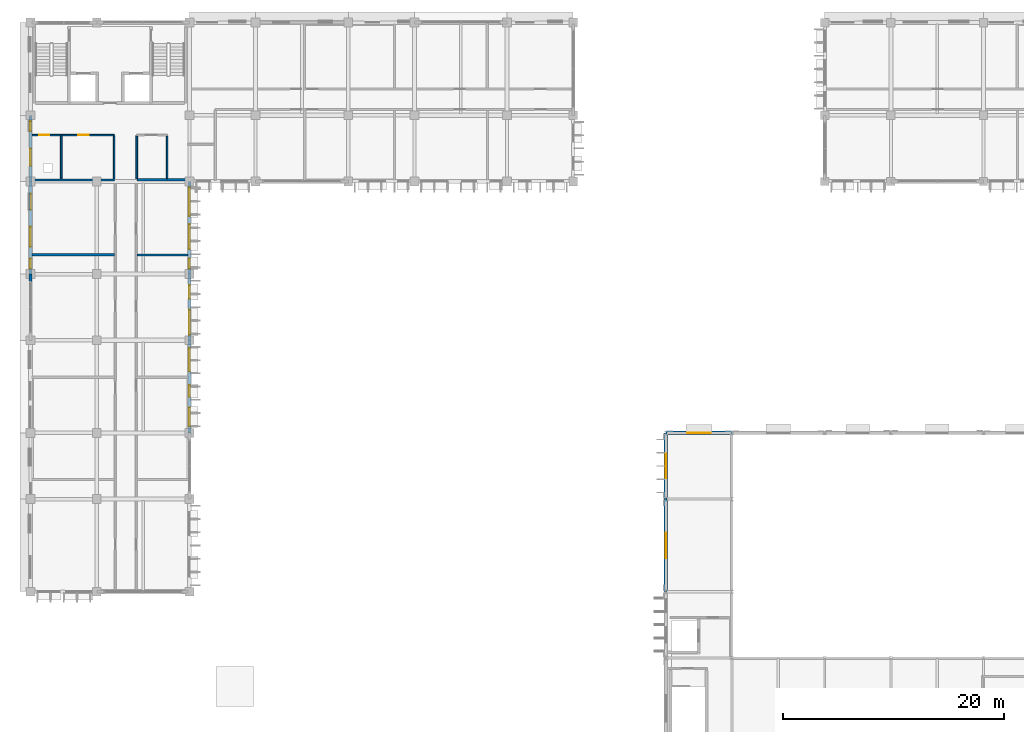
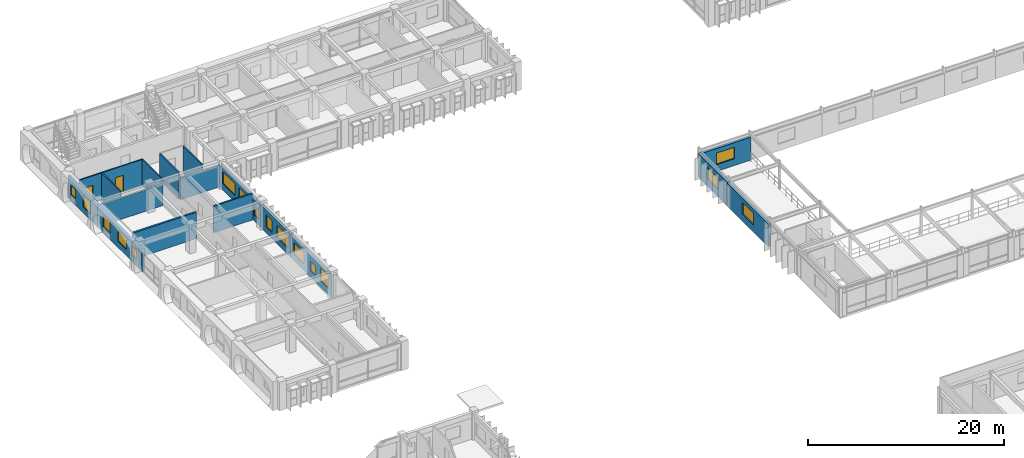
# One storey, part 55 of 88: 18 walls, 16 windows, 2 doors, 18 openings.
"""IFC4 building model written with IfcOpenShell, lengths in metres."""

from ifc_helpers import new_model, si_unit, direction, frame, frame_2d, origin, place, context, subcontext, project, spatial, rectangle, extrude, material, layer, layer_set, type_object, element, fill, save


model = new_model("IFC4")

# Units and contexts
model_context = context("Model", 3, precision=1e-05, world=origin(), true_north=direction((0.0, 1.0)))
body_context = subcontext(model_context, "Body", "Model", "MODEL_VIEW")
ifc_project = project(units=[si_unit("LENGTHUNIT", "METRE"), si_unit("AREAUNIT", "SQUARE_METRE"), si_unit("VOLUMEUNIT", "CUBIC_METRE"), si_unit("PLANEANGLEUNIT", "RADIAN"), si_unit("MASSUNIT", "GRAM", prefix="KILO"), si_unit("THERMODYNAMICTEMPERATUREUNIT", "KELVIN")], contexts=[model_context])

# Site, building, storey
site_placement = place(None, origin())
site = spatial("IfcSite", under=ifc_project, at=site_placement, CompositionType="ELEMENT")
building_placement = place(site_placement, origin())
building = spatial("IfcBuilding", under=site, at=building_placement, Name="Thalorik Housing Commons", CompositionType="ELEMENT")
storey_placement = place(building_placement, frame((0.0, 0.0, 4.5)))
storey = spatial("IfcBuildingStorey", under=building, at=storey_placement, Name="L01", CompositionType="ELEMENT", Elevation=4.5)

# Wall, openings, windows
ifc_material_1 = material(Name="White precast concrete C40/50", Category="concrete")
ifc_layer_1 = layer(ifc_material_1, 0.2548828125, Name="White precast concrete C40/50", Category="concrete")
ifc_layer_set_1 = layer_set([ifc_layer_1], Name="White precast concrete C40/50")
wall_type_1 = type_object("IfcWallType", Name="ARC-WAL-EXT-255", PredefinedType="STANDARD", material=ifc_layer_set_1)
wall_1_placement = place(storey_placement, frame((8.39990234375, 115.199951171875, 0.0), z_axis=(0.0, 0.0, 1.0), x_axis=(0.0, -1.0, 0.0)))
wall_1 = element("IfcWall", 1, at=wall_1_placement, inside=storey, type_object=wall_type_1, Name="L01 Exterior Wall WAL-EXT-L01-A-0044", PredefinedType="STANDARD", context=body_context, shape_type="SweptSolid", body=[
    extrude(rectangle(XDim=6.0, YDim=0.2548828125, at=frame_2d((3.0, 0.0))), origin(), (0.0, 0.0, 1.0), 2.875),
])
opening_1_placement = place(wall_1_placement, frame((0.544921875, 0.0, 0.780029296875)))
opening_1 = element("IfcOpeningElement", 2, at=opening_1_placement, cuts=wall_1, Name="Opening W-01", PredefinedType="OPENING", context=body_context, shape_type="SweptSolid", body=[
    extrude(rectangle(XDim=0.89990234375, YDim=1.199951171875, at=frame_2d((0.449951171875, 0.60009765625))), frame((0.0, 0.137451171875, 0.0), z_axis=(0.0, -1.0, 0.0), x_axis=(1.0, 0.0, 0.0)), (0.0, 0.0, 1.0), 0.27490234375),
])
opening_2_placement = place(wall_1_placement, frame((3.014892578125, 0.0, 0.780029296875)))
opening_2 = element("IfcOpeningElement", 3, at=opening_2_placement, cuts=wall_1, Name="Opening W-53", PredefinedType="OPENING", context=body_context, shape_type="SweptSolid", body=[
    extrude(rectangle(XDim=1.580078125, YDim=1.47998046875, at=frame_2d((0.7900390625, 0.739990234375))), frame((0.0, 0.137451171875, 0.0), z_axis=(0.0, -1.0, 0.0), x_axis=(1.0, 0.0, 0.0)), (0.0, 0.0, 1.0), 0.27490234375),
])
ifc_material_2 = material(Name="Anodised aluminium and solar-control low-E glass", Category="aluminium")
window_type_1 = type_object("IfcWindowType", Name="ARC-WIN-01", PartitioningType="SINGLE_PANEL", PredefinedType="WINDOW", material=ifc_material_2)
window_1_placement = place(opening_1_placement, origin())
window_1 = element("IfcWindow", 4, at=window_1_placement, inside=storey, type_object=window_type_1, Name="L01 Facade Window 71", OverallHeight=1.199951171875, OverallWidth=0.89990234375, PartitioningType="SINGLE_PANEL", PredefinedType="WINDOW", context=body_context, shape_type="SweptSolid", body=[
    extrude(rectangle(XDim=0.89990234375, YDim=1.199951171875, at=frame_2d((0.449951171875, 0.60009765625))), frame((0.0, 0.030029296875, 0.0), z_axis=(0.0, -1.0, 0.0), x_axis=(1.0, 0.0, 0.0)), (0.0, 0.0, 1.0), 0.06005859375),
])
fill(opening_1, window_1)
window_type_2 = type_object("IfcWindowType", Name="ARC-WIN-53", PartitioningType="SINGLE_PANEL", PredefinedType="WINDOW", material=ifc_material_2)
window_2_placement = place(opening_2_placement, origin())
window_2 = element("IfcWindow", 5, at=window_2_placement, inside=storey, type_object=window_type_2, Name="L01 Facade Window 72", OverallHeight=1.47998046875, OverallWidth=1.580078125, PartitioningType="SINGLE_PANEL", PredefinedType="WINDOW", context=body_context, shape_type="SweptSolid", body=[
    extrude(rectangle(XDim=1.580078125, YDim=1.47998046875, at=frame_2d((0.7900390625, 0.739990234375))), frame((0.0, 0.030029296875, 0.0), z_axis=(0.0, -1.0, 0.0), x_axis=(1.0, 0.0, 0.0)), (0.0, 0.0, 1.0), 0.06005859375),
])
fill(opening_2, window_2)

wall_2_placement = place(storey_placement, frame((8.39990234375, 109.199951171875, 0.0), z_axis=(0.0, 0.0, 1.0), x_axis=(0.0, -1.0, 0.0)))
wall_2 = element("IfcWall", 6, at=wall_2_placement, inside=storey, type_object=wall_type_1, Name="L01 Exterior Wall WAL-EXT-L01-A-0045", PredefinedType="STANDARD", context=body_context, shape_type="SweptSolid", body=[
    extrude(rectangle(XDim=8.39990234375, YDim=0.2548828125, at=frame_2d((4.199951171875, 0.0))), origin(), (0.0, 0.0, 1.0), 2.72509765625),
])
opening_3_placement = place(wall_2_placement, frame((1.132568359375, 0.0, 0.780029296875)))
opening_3 = element("IfcOpeningElement", 7, at=opening_3_placement, cuts=wall_2, Name="Opening W-50", PredefinedType="OPENING", context=body_context, shape_type="SweptSolid", body=[
    extrude(rectangle(XDim=1.419921875, YDim=1.3798828125, at=frame_2d((0.7099609375, 0.68994140625))), frame((0.0, 0.137451171875, 0.0), z_axis=(0.0, -1.0, 0.0), x_axis=(1.0, 0.0, 0.0)), (0.0, 0.0, 1.0), 0.27490234375),
])
opening_4_placement = place(wall_2_placement, frame((4.117431640625, 0.0, 0.780029296875)))
opening_4 = element("IfcOpeningElement", 8, at=opening_4_placement, cuts=wall_2, Name="Opening W-57", PredefinedType="OPENING", context=body_context, shape_type="SweptSolid", body=[
    extrude(rectangle(XDim=1.780029296875, YDim=1.419921875, at=frame_2d((0.89013671875, 0.7099609375))), frame((0.0, 0.137451171875, 0.0), z_axis=(0.0, -1.0, 0.0), x_axis=(1.0, 0.0, 0.0)), (0.0, 0.0, 1.0), 0.27490234375),
])
opening_5_placement = place(wall_2_placement, frame((6.985107421875, 0.0, 0.780029296875)))
opening_5 = element("IfcOpeningElement", 9, at=opening_5_placement, cuts=wall_2, Name="Opening W-01", PredefinedType="OPENING", context=body_context, shape_type="SweptSolid", body=[
    extrude(rectangle(XDim=0.89990234375, YDim=1.199951171875, at=frame_2d((0.449951171875, 0.60009765625))), frame((0.0, 0.137451171875, 0.0), z_axis=(0.0, -1.0, 0.0), x_axis=(1.0, 0.0, 0.0)), (0.0, 0.0, 1.0), 0.27490234375),
])
window_3_placement = place(opening_5_placement, origin())
window_3 = element("IfcWindow", 10, at=window_3_placement, inside=storey, type_object=window_type_1, Name="L01 Facade Window 75", OverallHeight=1.199951171875, OverallWidth=0.89990234375, PartitioningType="SINGLE_PANEL", PredefinedType="WINDOW", context=body_context, shape_type="SweptSolid", body=[
    extrude(rectangle(XDim=0.89990234375, YDim=1.199951171875, at=frame_2d((0.449951171875, 0.60009765625))), frame((0.0, 0.030029296875, 0.0), z_axis=(0.0, -1.0, 0.0), x_axis=(1.0, 0.0, 0.0)), (0.0, 0.0, 1.0), 0.06005859375),
])
fill(opening_5, window_3)
window_type_3 = type_object("IfcWindowType", Name="ARC-WIN-50", PartitioningType="SINGLE_PANEL", PredefinedType="WINDOW", material=ifc_material_2)
window_4_placement = place(opening_3_placement, origin())
window_4 = element("IfcWindow", 11, at=window_4_placement, inside=storey, type_object=window_type_3, Name="L01 Facade Window 73", OverallHeight=1.3798828125, OverallWidth=1.419921875, PartitioningType="SINGLE_PANEL", PredefinedType="WINDOW", context=body_context, shape_type="SweptSolid", body=[
    extrude(rectangle(XDim=1.419921875, YDim=1.3798828125, at=frame_2d((0.7099609375, 0.68994140625))), frame((0.0, 0.030029296875, 0.0), z_axis=(0.0, -1.0, 0.0), x_axis=(1.0, 0.0, 0.0)), (0.0, 0.0, 1.0), 0.06005859375),
])
fill(opening_3, window_4)
window_type_4 = type_object("IfcWindowType", Name="ARC-WIN-57", PartitioningType="DOUBLE_PANEL_VERTICAL", PredefinedType="WINDOW", material=ifc_material_2)
window_5_placement = place(opening_4_placement, origin())
window_5 = element("IfcWindow", 12, at=window_5_placement, inside=storey, type_object=window_type_4, Name="L01 Facade Window 74", OverallHeight=1.419921875, OverallWidth=1.780029296875, PartitioningType="DOUBLE_PANEL_VERTICAL", PredefinedType="WINDOW", context=body_context, shape_type="SweptSolid", body=[
    extrude(rectangle(XDim=1.780029296875, YDim=1.419921875, at=frame_2d((0.89013671875, 0.7099609375))), frame((0.0, 0.030029296875, 0.0), z_axis=(0.0, -1.0, 0.0), x_axis=(1.0, 0.0, 0.0)), (0.0, 0.0, 1.0), 0.06005859375),
])
fill(opening_4, window_5)

# Wall
wall_3_placement = place(storey_placement, frame((8.39990234375, 100.800048828125, 0.0), z_axis=(0.0, 0.0, 1.0), x_axis=(0.0, -1.0, 0.0)))
element("IfcWall", 13, at=wall_3_placement, inside=storey, type_object=wall_type_1, Name="L01 Exterior Wall WAL-PIERL-L01-A-0046", PredefinedType="STANDARD", context=body_context, shape_type="SweptSolid", body=[
    extrude(rectangle(XDim=0.699951171875, YDim=0.2548828125, at=frame_2d((0.35009765625, 0.0))), origin(), (0.0, 0.0, 1.0), 2.875),
])

# Wall, openings, windows
wall_4_placement = place(storey_placement, frame((22.800048828125, 86.39990234375, 0.0), z_axis=(0.0, 0.0, 1.0), x_axis=(0.0, 1.0, 0.0)))
wall_4 = element("IfcWall", 14, at=wall_4_placement, inside=storey, type_object=wall_type_1, Name="L01 Exterior Wall WAL-EXT-L01-A-0054", PredefinedType="STANDARD", context=body_context, shape_type="SweptSolid", body=[
    extrude(rectangle(XDim=8.400146484375, YDim=0.2548828125, at=frame_2d((4.2001953125, 0.0))), origin(), (0.0, 0.0, 1.0), 2.72509765625),
])
opening_6_placement = place(wall_4_placement, frame((0.590087890625, 0.0, 0.780029296875)))
opening_6 = element("IfcOpeningElement", 15, at=opening_6_placement, cuts=wall_4, Name="Opening W-16", PredefinedType="OPENING", context=body_context, shape_type="SweptSolid", body=[
    extrude(rectangle(XDim=1.699951171875, YDim=1.60009765625, at=frame_2d((0.85009765625, 0.800048828125))), frame((0.0, 0.137451171875, 0.0), z_axis=(0.0, -1.0, 0.0), x_axis=(1.0, 0.0, 0.0)), (0.0, 0.0, 1.0), 0.27490234375),
])
opening_7_placement = place(wall_4_placement, frame((3.27490234375, 0.0, 0.780029296875)))
opening_7 = element("IfcOpeningElement", 16, at=opening_7_placement, cuts=wall_4, Name="Opening W-44", PredefinedType="OPENING", context=body_context, shape_type="SweptSolid", body=[
    extrude(rectangle(XDim=1.050048828125, YDim=1.199951171875, at=frame_2d((0.52490234375, 0.60009765625))), frame((0.0, 0.137451171875, 0.0), z_axis=(0.0, -1.0, 0.0), x_axis=(1.0, 0.0, 0.0)), (0.0, 0.0, 1.0), 0.27490234375),
])
opening_8_placement = place(wall_4_placement, frame((5.570068359375, 0.0, 0.780029296875)))
opening_8 = element("IfcOpeningElement", 17, at=opening_8_placement, cuts=wall_4, Name="Opening W-64", PredefinedType="OPENING", context=body_context, shape_type="SweptSolid", body=[
    extrude(rectangle(XDim=2.1201171875, YDim=1.43994140625, at=frame_2d((1.06005859375, 0.719970703125))), frame((0.0, 0.137451171875, 0.0), z_axis=(0.0, -1.0, 0.0), x_axis=(1.0, 0.0, 0.0)), (0.0, 0.0, 1.0), 0.27490234375),
])
window_type_5 = type_object("IfcWindowType", Name="ARC-WIN-16", PartitioningType="DOUBLE_PANEL_VERTICAL", PredefinedType="WINDOW", material=ifc_material_2)
window_6_placement = place(opening_6_placement, origin())
window_6 = element("IfcWindow", 18, at=window_6_placement, inside=storey, type_object=window_type_5, Name="L01 Facade Window 87", OverallHeight=1.60009765625, OverallWidth=1.699951171875, PartitioningType="DOUBLE_PANEL_VERTICAL", PredefinedType="WINDOW", context=body_context, shape_type="SweptSolid", body=[
    extrude(rectangle(XDim=1.699951171875, YDim=1.60009765625, at=frame_2d((0.85009765625, 0.800048828125))), frame((0.0, 0.030029296875, 0.0), z_axis=(0.0, -1.0, 0.0), x_axis=(1.0, 0.0, 0.0)), (0.0, 0.0, 1.0), 0.06005859375),
])
fill(opening_6, window_6)
window_type_6 = type_object("IfcWindowType", Name="ARC-WIN-44", PartitioningType="SINGLE_PANEL", PredefinedType="WINDOW", material=ifc_material_2)
window_7_placement = place(opening_7_placement, origin())
window_7 = element("IfcWindow", 19, at=window_7_placement, inside=storey, type_object=window_type_6, Name="L01 Facade Window 88", OverallHeight=1.199951171875, OverallWidth=1.050048828125, PartitioningType="SINGLE_PANEL", PredefinedType="WINDOW", context=body_context, shape_type="SweptSolid", body=[
    extrude(rectangle(XDim=1.050048828125, YDim=1.199951171875, at=frame_2d((0.52490234375, 0.60009765625))), frame((0.0, 0.030029296875, 0.0), z_axis=(0.0, -1.0, 0.0), x_axis=(1.0, 0.0, 0.0)), (0.0, 0.0, 1.0), 0.06005859375),
])
fill(opening_7, window_7)
window_type_7 = type_object("IfcWindowType", Name="ARC-WIN-64", PartitioningType="DOUBLE_PANEL_VERTICAL", PredefinedType="WINDOW", material=ifc_material_2)
window_8_placement = place(opening_8_placement, origin())
window_8 = element("IfcWindow", 20, at=window_8_placement, inside=storey, type_object=window_type_7, Name="L01 Facade Window 89", OverallHeight=1.43994140625, OverallWidth=2.1201171875, PartitioningType="DOUBLE_PANEL_VERTICAL", PredefinedType="WINDOW", context=body_context, shape_type="SweptSolid", body=[
    extrude(rectangle(XDim=2.1201171875, YDim=1.43994140625, at=frame_2d((1.06005859375, 0.719970703125))), frame((0.0, 0.030029296875, 0.0), z_axis=(0.0, -1.0, 0.0), x_axis=(1.0, 0.0, 0.0)), (0.0, 0.0, 1.0), 0.06005859375),
])
fill(opening_8, window_8)

wall_5_placement = place(storey_placement, frame((22.800048828125, 94.800048828125, 0.0), z_axis=(0.0, 0.0, 1.0), x_axis=(0.0, 1.0, 0.0)))
wall_5 = element("IfcWall", 21, at=wall_5_placement, inside=storey, type_object=wall_type_1, Name="L01 Exterior Wall WAL-EXT-L01-A-0055", PredefinedType="STANDARD", context=body_context, shape_type="SweptSolid", body=[
    extrude(rectangle(XDim=6.0, YDim=0.2548828125, at=frame_2d((3.0, 0.0))), origin(), (0.0, 0.0, 1.0), 2.875),
])
opening_9_placement = place(wall_5_placement, frame((0.510009765625, 0.0, 0.780029296875)))
opening_9 = element("IfcOpeningElement", 22, at=opening_9_placement, cuts=wall_5, Name="Opening W-66", PredefinedType="OPENING", context=body_context, shape_type="SweptSolid", body=[
    extrude(rectangle(XDim=2.239990234375, YDim=1.52001953125, at=frame_2d((1.1201171875, 0.760009765625))), frame((0.0, 0.137451171875, 0.0), z_axis=(0.0, -1.0, 0.0), x_axis=(1.0, 0.0, 0.0)), (0.0, 0.0, 1.0), 0.27490234375),
])
opening_10_placement = place(wall_5_placement, frame((3.77001953125, 0.0, 0.780029296875)))
opening_10 = element("IfcOpeningElement", 23, at=opening_10_placement, cuts=wall_5, Name="Opening W-05", PredefinedType="OPENING", context=body_context, shape_type="SweptSolid", body=[
    extrude(rectangle(XDim=1.199951171875, YDim=1.5, at=frame_2d((0.60009765625, 0.75))), frame((0.0, 0.137451171875, 0.0), z_axis=(0.0, -1.0, 0.0), x_axis=(1.0, 0.0, 0.0)), (0.0, 0.0, 1.0), 0.27490234375),
])
window_type_8 = type_object("IfcWindowType", Name="ARC-WIN-05", PartitioningType="SINGLE_PANEL", PredefinedType="WINDOW", material=ifc_material_2)
window_9_placement = place(opening_10_placement, origin())
window_9 = element("IfcWindow", 24, at=window_9_placement, inside=storey, type_object=window_type_8, Name="L01 Facade Window 91", OverallHeight=1.5, OverallWidth=1.199951171875, PartitioningType="SINGLE_PANEL", PredefinedType="WINDOW", context=body_context, shape_type="SweptSolid", body=[
    extrude(rectangle(XDim=1.199951171875, YDim=1.5, at=frame_2d((0.60009765625, 0.75))), frame((0.0, 0.030029296875, 0.0), z_axis=(0.0, -1.0, 0.0), x_axis=(1.0, 0.0, 0.0)), (0.0, 0.0, 1.0), 0.06005859375),
])
fill(opening_10, window_9)
window_type_9 = type_object("IfcWindowType", Name="ARC-WIN-66", PartitioningType="DOUBLE_PANEL_VERTICAL", PredefinedType="WINDOW", material=ifc_material_2)
window_10_placement = place(opening_9_placement, origin())
window_10 = element("IfcWindow", 25, at=window_10_placement, inside=storey, type_object=window_type_9, Name="L01 Facade Window 90", OverallHeight=1.52001953125, OverallWidth=2.239990234375, PartitioningType="DOUBLE_PANEL_VERTICAL", PredefinedType="WINDOW", context=body_context, shape_type="SweptSolid", body=[
    extrude(rectangle(XDim=2.239990234375, YDim=1.52001953125, at=frame_2d((1.1201171875, 0.760009765625))), frame((0.0, 0.030029296875, 0.0), z_axis=(0.0, -1.0, 0.0), x_axis=(1.0, 0.0, 0.0)), (0.0, 0.0, 1.0), 0.06005859375),
])
fill(opening_9, window_10)

wall_6_placement = place(storey_placement, frame((22.800048828125, 100.800048828125, 0.0), z_axis=(0.0, 0.0, 1.0), x_axis=(0.0, 1.0, 0.0)))
wall_6 = element("IfcWall", 26, at=wall_6_placement, inside=storey, type_object=wall_type_1, Name="L01 Exterior Wall WAL-EXT-L01-A-0056", PredefinedType="STANDARD", context=body_context, shape_type="SweptSolid", body=[
    extrude(rectangle(XDim=8.39990234375, YDim=0.2548828125, at=frame_2d((4.199951171875, 0.0))), origin(), (0.0, 0.0, 1.0), 2.72509765625),
])
opening_11_placement = place(wall_6_placement, frame((0.514892578125, 0.0, 0.780029296875)))
opening_11 = element("IfcOpeningElement", 27, at=opening_11_placement, cuts=wall_6, Name="Opening W-01", PredefinedType="OPENING", context=body_context, shape_type="SweptSolid", body=[
    extrude(rectangle(XDim=0.89990234375, YDim=1.199951171875, at=frame_2d((0.449951171875, 0.60009765625))), frame((0.0, 0.137451171875, 0.0), z_axis=(0.0, -1.0, 0.0), x_axis=(1.0, 0.0, 0.0)), (0.0, 0.0, 1.0), 0.27490234375),
])
opening_12_placement = place(wall_6_placement, frame((2.2724609375, 0.0, 0.780029296875)))
opening_12 = element("IfcOpeningElement", 28, at=opening_12_placement, cuts=wall_6, Name="Opening W-66", PredefinedType="OPENING", context=body_context, shape_type="SweptSolid", body=[
    extrude(rectangle(XDim=2.239990234375, YDim=1.52001953125, at=frame_2d((1.1201171875, 0.760009765625))), frame((0.0, 0.137451171875, 0.0), z_axis=(0.0, -1.0, 0.0), x_axis=(1.0, 0.0, 0.0)), (0.0, 0.0, 1.0), 0.27490234375),
])
opening_13_placement = place(wall_6_placement, frame((5.267578125, 0.0, 0.780029296875)))
opening_13 = element("IfcOpeningElement", 29, at=opening_13_placement, cuts=wall_6, Name="Opening W-73", PredefinedType="OPENING", context=body_context, shape_type="SweptSolid", body=[
    extrude(rectangle(XDim=2.580078125, YDim=1.47998046875, at=frame_2d((1.2900390625, 0.739990234375))), frame((0.0, 0.137451171875, 0.0), z_axis=(0.0, -1.0, 0.0), x_axis=(1.0, 0.0, 0.0)), (0.0, 0.0, 1.0), 0.27490234375),
])
window_11_placement = place(opening_11_placement, origin())
window_11 = element("IfcWindow", 30, at=window_11_placement, inside=storey, type_object=window_type_1, Name="L01 Facade Window 92", OverallHeight=1.199951171875, OverallWidth=0.89990234375, PartitioningType="SINGLE_PANEL", PredefinedType="WINDOW", context=body_context, shape_type="SweptSolid", body=[
    extrude(rectangle(XDim=0.89990234375, YDim=1.199951171875, at=frame_2d((0.449951171875, 0.60009765625))), frame((0.0, 0.030029296875, 0.0), z_axis=(0.0, -1.0, 0.0), x_axis=(1.0, 0.0, 0.0)), (0.0, 0.0, 1.0), 0.06005859375),
])
fill(opening_11, window_11)
window_12_placement = place(opening_12_placement, origin())
window_12 = element("IfcWindow", 31, at=window_12_placement, inside=storey, type_object=window_type_9, Name="L01 Facade Window 93", OverallHeight=1.52001953125, OverallWidth=2.239990234375, PartitioningType="DOUBLE_PANEL_VERTICAL", PredefinedType="WINDOW", context=body_context, shape_type="SweptSolid", body=[
    extrude(rectangle(XDim=2.239990234375, YDim=1.52001953125, at=frame_2d((1.1201171875, 0.760009765625))), frame((0.0, 0.030029296875, 0.0), z_axis=(0.0, -1.0, 0.0), x_axis=(1.0, 0.0, 0.0)), (0.0, 0.0, 1.0), 0.06005859375),
])
fill(opening_12, window_12)
window_type_10 = type_object("IfcWindowType", Name="ARC-WIN-73", PartitioningType="DOUBLE_PANEL_VERTICAL", PredefinedType="WINDOW", material=ifc_material_2)
window_13_placement = place(opening_13_placement, origin())
window_13 = element("IfcWindow", 32, at=window_13_placement, inside=storey, type_object=window_type_10, Name="L01 Facade Window 94", OverallHeight=1.47998046875, OverallWidth=2.580078125, PartitioningType="DOUBLE_PANEL_VERTICAL", PredefinedType="WINDOW", context=body_context, shape_type="SweptSolid", body=[
    extrude(rectangle(XDim=2.580078125, YDim=1.47998046875, at=frame_2d((1.2900390625, 0.739990234375))), frame((0.0, 0.030029296875, 0.0), z_axis=(0.0, -1.0, 0.0), x_axis=(1.0, 0.0, 0.0)), (0.0, 0.0, 1.0), 0.06005859375),
])
fill(opening_13, window_13)

# Wall, opening, window
ifc_layer_2 = layer(ifc_material_1, 0.320068359375, Name="White precast concrete C40/50", Category="concrete")
ifc_layer_set_2 = layer_set([ifc_layer_2], Name="White precast concrete C40/50")
wall_type_2 = type_object("IfcWallType", Name="ARC-WAL-EXT-320", PredefinedType="STANDARD", material=ifc_layer_set_2)
wall_7_placement = place(storey_placement, frame((72.0, 86.39990234375, 0.0), z_axis=(0.0, 0.0, 1.0), x_axis=(-1.0, 0.0, 0.0)))
wall_7 = element("IfcWall", 33, at=wall_7_placement, inside=storey, type_object=wall_type_2, Name="L01 Exterior Wall WAL-HALL-L01-1318", PredefinedType="STANDARD", context=body_context, shape_type="SweptSolid", body=[
    extrude(rectangle(XDim=6.0, YDim=0.320068359375, at=frame_2d((3.0, 0.0))), origin(), (0.0, 0.0, 1.0), 2.862060546875),
])
opening_14_placement = place(wall_7_placement, frame((1.93994140625, 0.0, 0.85009765625)))
opening_14 = element("IfcOpeningElement", 34, at=opening_14_placement, cuts=wall_7, Name="Opening W-64", PredefinedType="OPENING", context=body_context, shape_type="SweptSolid", body=[
    extrude(rectangle(XDim=2.1201171875, YDim=1.43994140625, at=frame_2d((1.06005859375, 0.719970703125))), frame((0.0, 0.169921875, 0.0), z_axis=(0.0, -1.0, 0.0), x_axis=(1.0, 0.0, 0.0)), (0.0, 0.0, 1.0), 0.340087890625),
])
window_14_placement = place(opening_14_placement, origin())
window_14 = element("IfcWindow", 35, at=window_14_placement, inside=storey, type_object=window_type_7, Name="L01 Facade Window 2354", OverallHeight=1.43994140625, OverallWidth=2.1201171875, PartitioningType="DOUBLE_PANEL_VERTICAL", PredefinedType="WINDOW", context=body_context, shape_type="SweptSolid", body=[
    extrude(rectangle(XDim=2.1201171875, YDim=1.43994140625, at=frame_2d((1.06005859375, 0.719970703125))), frame((0.0, 0.030029296875, 0.0), z_axis=(0.0, -1.0, 0.0), x_axis=(1.0, 0.0, 0.0)), (0.0, 0.0, 1.0), 0.06005859375),
])
fill(opening_14, window_14)

wall_8_placement = place(storey_placement, frame((66.0, 86.39990234375, 0.0), z_axis=(0.0, 0.0, 1.0), x_axis=(0.0, -1.0, 0.0)))
wall_8 = element("IfcWall", 36, at=wall_8_placement, inside=storey, type_object=wall_type_2, Name="L01 Exterior Wall WAL-HALL-L01-1319", PredefinedType="STANDARD", context=body_context, shape_type="SweptSolid", body=[
    extrude(rectangle(XDim=6.0, YDim=0.320068359375, at=frame_2d((3.0, 0.0))), origin(), (0.0, 0.0, 1.0), 2.912109375),
])
opening_15_placement = place(wall_8_placement, frame((1.909912109375, 0.0, 0.85009765625)))
opening_15 = element("IfcOpeningElement", 37, at=opening_15_placement, cuts=wall_8, Name="Opening W-65", PredefinedType="OPENING", context=body_context, shape_type="SweptSolid", body=[
    extrude(rectangle(XDim=2.179931640625, YDim=1.47998046875, at=frame_2d((1.08984375, 0.739990234375))), frame((0.0, 0.169921875, 0.0), z_axis=(0.0, -1.0, 0.0), x_axis=(1.0, 0.0, 0.0)), (0.0, 0.0, 1.0), 0.340087890625),
])
window_type_11 = type_object("IfcWindowType", Name="ARC-WIN-65", PartitioningType="DOUBLE_PANEL_VERTICAL", PredefinedType="WINDOW", material=ifc_material_2)
window_15_placement = place(opening_15_placement, origin())
window_15 = element("IfcWindow", 38, at=window_15_placement, inside=storey, type_object=window_type_11, Name="L01 Facade Window 2355", OverallHeight=1.47998046875, OverallWidth=2.179931640625, PartitioningType="DOUBLE_PANEL_VERTICAL", PredefinedType="WINDOW", context=body_context, shape_type="SweptSolid", body=[
    extrude(rectangle(XDim=2.179931640625, YDim=1.47998046875, at=frame_2d((1.08984375, 0.739990234375))), frame((0.0, 0.030029296875, 0.0), z_axis=(0.0, -1.0, 0.0), x_axis=(1.0, 0.0, 0.0)), (0.0, 0.0, 1.0), 0.06005859375),
])
fill(opening_15, window_15)

wall_9_placement = place(storey_placement, frame((66.0, 80.39990234375, 0.0), z_axis=(0.0, 0.0, 1.0), x_axis=(0.0, -1.0, 0.0)))
wall_9 = element("IfcWall", 39, at=wall_9_placement, inside=storey, type_object=wall_type_2, Name="L01 Exterior Wall WAL-HALL-L01-1320", PredefinedType="STANDARD", context=body_context, shape_type="SweptSolid", body=[
    extrude(rectangle(XDim=8.39990234375, YDim=0.320068359375, at=frame_2d((4.199951171875, 0.0))), origin(), (0.0, 0.0, 1.0), 2.7900390625),
])
opening_16_placement = place(wall_9_placement, frame((3.06005859375, 0.0, 0.85009765625)))
opening_16 = element("IfcOpeningElement", 40, at=opening_16_placement, cuts=wall_9, Name="Opening W-67", PredefinedType="OPENING", context=body_context, shape_type="SweptSolid", body=[
    extrude(rectangle(XDim=2.280029296875, YDim=1.4599609375, at=frame_2d((1.14013671875, 0.72998046875))), frame((0.0, 0.169921875, 0.0), z_axis=(0.0, -1.0, 0.0), x_axis=(1.0, 0.0, 0.0)), (0.0, 0.0, 1.0), 0.340087890625),
])
window_type_12 = type_object("IfcWindowType", Name="ARC-WIN-67", PartitioningType="DOUBLE_PANEL_VERTICAL", PredefinedType="WINDOW", material=ifc_material_2)
window_16_placement = place(opening_16_placement, origin())
window_16 = element("IfcWindow", 41, at=window_16_placement, inside=storey, type_object=window_type_12, Name="L01 Facade Window 2356", OverallHeight=1.4599609375, OverallWidth=2.280029296875, PartitioningType="DOUBLE_PANEL_VERTICAL", PredefinedType="WINDOW", context=body_context, shape_type="SweptSolid", body=[
    extrude(rectangle(XDim=2.280029296875, YDim=1.4599609375, at=frame_2d((1.14013671875, 0.72998046875))), frame((0.0, 0.030029296875, 0.0), z_axis=(0.0, -1.0, 0.0), x_axis=(1.0, 0.0, 0.0)), (0.0, 0.0, 1.0), 0.06005859375),
])
fill(opening_16, window_16)

# Walls
ifc_material_3 = material(Name="Ceramic masonry partition wall", Category="masonry")
ifc_layer_3 = layer(ifc_material_3, 0.14794921875, Name="Ceramic masonry partition wall", Category="masonry")
ifc_layer_set_3 = layer_set([ifc_layer_3], Name="Ceramic masonry partition wall")
wall_type_3 = type_object("IfcWallType", Name="ARC-WAL-PART-150", PredefinedType="PARTITIONING", material=ifc_layer_set_3)
for number, where, z_axis, x_axis, name in (
    (42, (11.175048828125, 113.323974609375, 0.0), (0.0, 0.0, 1.0), (0.0, -1.0, 0.0), "Riser Wall"),
    (43, (15.97509765625, 113.323974609375, 0.0), (0.0, 0.0, 1.0), (0.0, -1.0, 0.0), "Core Stem West Cheek Wall"),
):
    element("IfcWall", number, at=place(storey_placement, frame(where, z_axis=z_axis, x_axis=x_axis)), inside=storey, type_object=wall_type_3, Name=name, PredefinedType="PARTITIONING", context=body_context, shape_type="SweptSolid", body=[
        extrude(rectangle(XDim=3.882080078125, YDim=0.14794921875, at=frame_2d((1.94091796875, 0.0))), origin(), (0.0, 0.0, 1.0), 3.300048828125),
    ])
for number, where, z_axis, x_axis, name in (
    (44, (18.02490234375, 113.323974609375, 0.0), (0.0, 0.0, 1.0), (0.0, -1.0, 0.0), "Core Stem East Cheek Wall"),
    (45, (20.780029296875, 113.323974609375, 0.0), (0.0, 0.0, 1.0), (0.0, -1.0, 0.0), "Core East Enclosing Wall"),
):
    element("IfcWall", number, at=place(storey_placement, frame(where, z_axis=z_axis, x_axis=x_axis)), inside=storey, type_object=wall_type_3, Name=name, PredefinedType="PARTITIONING", context=body_context, shape_type="SweptSolid", body=[
        extrude(rectangle(XDim=3.8720703125, YDim=0.14794921875, at=frame_2d((1.93603515625, 0.0))), origin(), (0.0, 0.0, 1.0), 3.300048828125),
    ])

# Wall, openings, doors
wall_10_placement = place(storey_placement, frame((8.5400390625, 113.39990234375, 0.0), z_axis=(0.0, 0.0, 1.0), x_axis=(1.0, 0.0, 0.0)))
wall_10 = element("IfcWall", 46, at=wall_10_placement, inside=storey, type_object=wall_type_3, Name="L01 Core A West Corridor Partition", PredefinedType="PARTITIONING", context=body_context, shape_type="SweptSolid", body=[
    extrude(rectangle(XDim=7.43505859375, YDim=0.14794921875, at=frame_2d((3.717529296875, 0.0))), origin(), (0.0, 0.0, 1.0), 3.300048828125),
])
opening_17_placement = place(wall_10_placement, frame((0.64990234375, 0.0, 0.0)))
opening_17 = element("IfcOpeningElement", 47, at=opening_17_placement, cuts=wall_10, Name="Opening ID-0022", PredefinedType="OPENING", context=body_context, shape_type="SweptSolid", body=[
    extrude(rectangle(XDim=0.89990234375, YDim=2.10009765625, at=frame_2d((0.449951171875, 1.050048828125))), frame((0.0, 0.083984375, 0.0), z_axis=(0.0, -1.0, 0.0), x_axis=(1.0, 0.0, 0.0)), (0.0, 0.0, 1.0), 0.16796875),
])
opening_18_placement = place(wall_10_placement, frame((4.199951171875, 0.0, 0.0)))
opening_18 = element("IfcOpeningElement", 48, at=opening_18_placement, cuts=wall_10, Name="Opening ID-0023", PredefinedType="OPENING", context=body_context, shape_type="SweptSolid", body=[
    extrude(rectangle(XDim=0.949951171875, YDim=2.10009765625, at=frame_2d((0.47509765625, 1.050048828125))), frame((0.0, 0.083984375, 0.0), z_axis=(0.0, -1.0, 0.0), x_axis=(1.0, 0.0, 0.0)), (0.0, 0.0, 1.0), 0.16796875),
])
ifc_material_4 = material(Name="Steel S355", Category="steel")
door_type_1 = type_object("IfcDoorType", Name="ARC-DR-FD60-900", OperationType="NOTDEFINED", PredefinedType="DOOR", material=ifc_material_4)
door_1_placement = place(opening_17_placement, origin())
door_1 = element("IfcDoor", 49, at=door_1_placement, inside=storey, type_object=door_type_1, Name="Electrical Riser Door", OperationType="SINGLE_SWING_LEFT", OverallHeight=2.10009765625, OverallWidth=0.89990234375, PredefinedType="DOOR", context=body_context, shape_type="SweptSolid", body=[
    extrude(rectangle(XDim=0.89990234375, YDim=2.10009765625, at=frame_2d((0.449951171875, 1.050048828125))), frame((0.0, 0.02490234375, 0.0), z_axis=(0.0, -1.0, 0.0), x_axis=(1.0, 0.0, 0.0)), (0.0, 0.0, 1.0), 0.050048828125),
])
fill(opening_17, door_1)
ifc_material_5 = material(Name="Engineered oak timber", Category="wood")
door_type_2 = type_object("IfcDoorType", Name="ARC-DR-INT-950", OperationType="NOTDEFINED", PredefinedType="DOOR", material=ifc_material_5)
door_2_placement = place(opening_18_placement, origin())
door_2 = element("IfcDoor", 50, at=door_2_placement, inside=storey, type_object=door_type_2, Name="Accessible Bathroom Door", OperationType="SINGLE_SWING_RIGHT", OverallHeight=2.10009765625, OverallWidth=0.949951171875, PredefinedType="DOOR", context=body_context, shape_type="SweptSolid", body=[
    extrude(rectangle(XDim=0.949951171875, YDim=2.10009765625, at=frame_2d((0.47509765625, 1.050048828125))), frame((0.0, 0.02490234375, 0.0), z_axis=(0.0, -1.0, 0.0), x_axis=(1.0, 0.0, 0.0)), (0.0, 0.0, 1.0), 0.050048828125),
])
fill(opening_18, door_2)

# Walls
ifc_material_6 = material(Name="Masonry acoustic blockwork wall", Category="masonry")
ifc_layer_4 = layer(ifc_material_6, 0.18505859375, Name="Masonry acoustic blockwork wall", Category="masonry")
ifc_layer_set_4 = layer_set([ifc_layer_4], Name="Masonry acoustic blockwork wall")
wall_type_4 = type_object("IfcWallType", Name="ARC-WAL-PARTY-185", PredefinedType="PARTITIONING", material=ifc_layer_set_4)
wall_11_placement = place(storey_placement, frame((18.056884765625, 102.5400390625, 0.0), z_axis=(0.0, 0.0, 1.0), x_axis=(1.0, 0.0, 0.0)))
element("IfcWall", 51, at=wall_11_placement, inside=storey, type_object=wall_type_4, Name="L01 Inter-Tenancy Wall 3B", PredefinedType="PARTITIONING", context=body_context, shape_type="SweptSolid", body=[
    extrude(rectangle(XDim=4.613525390625, YDim=0.18505859375, at=frame_2d((2.306640625, 0.0))), origin(), (0.0, 0.0, 1.0), 3.300048828125),
])
ifc_material_7 = material(Name="Precast concrete C40/50 acoustic wall", Category="concrete")
ifc_layer_5 = layer(ifc_material_7, 0.199951171875, Name="Precast concrete C40/50 acoustic wall", Category="concrete")
ifc_layer_set_5 = layer_set([ifc_layer_5], Name="Precast concrete C40/50 acoustic wall")
wall_type_5 = type_object("IfcWallType", Name="ARC-WAL-PARTY-200", PredefinedType="PARTITIONING", material=ifc_layer_set_5)
wall_12_placement = place(storey_placement, frame((8.529541015625, 109.340087890625, 0.0), z_axis=(0.0, 0.0, 1.0), x_axis=(1.0, 0.0, 0.0)))
element("IfcWall", 52, at=wall_12_placement, inside=storey, type_object=wall_type_5, Name="L01 Core End Wall A", PredefinedType="PARTITIONING", context=body_context, shape_type="SweptSolid", body=[
    extrude(rectangle(XDim=7.466064453125, YDim=0.199951171875, at=frame_2d((3.73291015625, 0.0))), origin(), (0.0, 0.0, 1.0), 2.675048828125),
])
ifc_layer_6 = layer(ifc_material_7, 0.219970703125, Name="Precast concrete C40/50 acoustic wall", Category="concrete")
ifc_layer_set_6 = layer_set([ifc_layer_6], Name="Precast concrete C40/50 acoustic wall")
wall_type_6 = type_object("IfcWallType", Name="ARC-WAL-PARTY-220", PredefinedType="PARTITIONING", material=ifc_layer_set_6)
wall_13_placement = place(storey_placement, frame((8.529541015625, 102.5400390625, 0.0), z_axis=(0.0, 0.0, 1.0), x_axis=(1.0, 0.0, 0.0)))
element("IfcWall", 53, at=wall_13_placement, inside=storey, type_object=wall_type_6, Name="L01 Inter-Tenancy Wall 3A", PredefinedType="PARTITIONING", context=body_context, shape_type="SweptSolid", body=[
    extrude(rectangle(XDim=7.466064453125, YDim=0.219970703125, at=frame_2d((3.73291015625, 0.0))), origin(), (0.0, 0.0, 1.0), 3.300048828125),
])
wall_14_placement = place(storey_placement, frame((18.056884765625, 109.340087890625, 0.0), z_axis=(0.0, 0.0, 1.0), x_axis=(1.0, 0.0, 0.0)))
element("IfcWall", 54, at=wall_14_placement, inside=storey, type_object=wall_type_6, Name="L01 Core End Wall B", PredefinedType="PARTITIONING", context=body_context, shape_type="SweptSolid", body=[
    extrude(rectangle(XDim=4.68310546875, YDim=0.219970703125, at=frame_2d((2.341552734375, 0.0))), origin(), (0.0, 0.0, 1.0), 2.675048828125),
])

save(model, "model.ifc")
